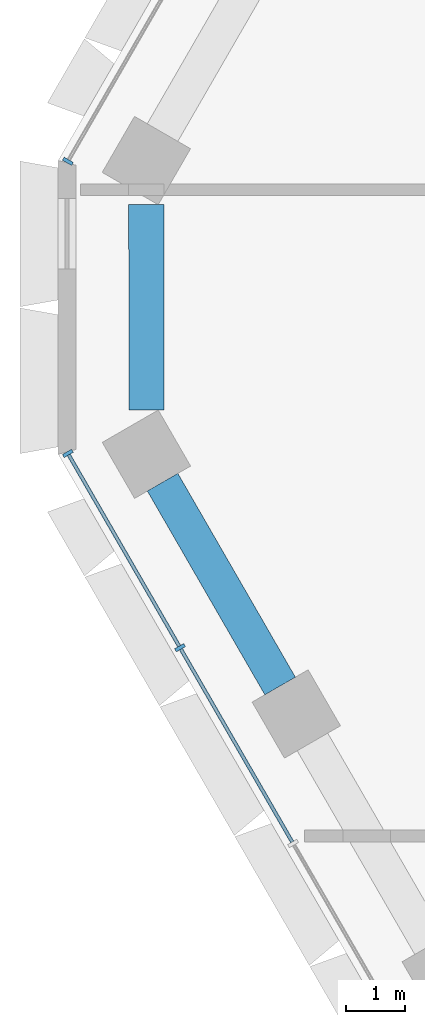
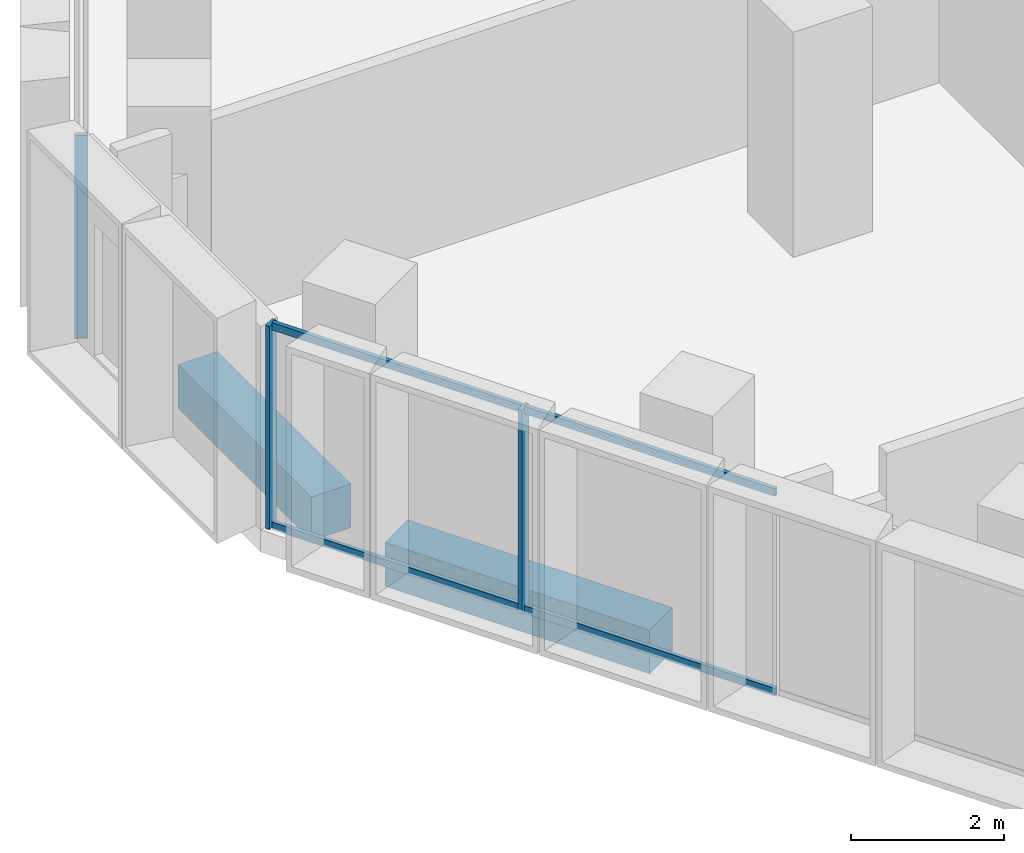
# One storey, part 3 of 22: 7 members, 2 beams, 2 elements without a shape of their own.
"""IFC4 building model written with IfcOpenShell, lengths in metres."""

from ifc_helpers import new_model, si_unit, direction, frame, origin, origin_2d, place, context, subcontext, project, spatial, rectangle, hollow_rectangle, extrude, material, material_profile, profile_set, type_object, element, aggregate, save


model = new_model("IFC4")

# Units and contexts
model_context = context("Model", 3, precision=1e-05, world=origin(), true_north=direction((0.0, 1.0)))
body_context = subcontext(model_context, "Body", "Model", "MODEL_VIEW")
ifc_project = project(units=[si_unit("LENGTHUNIT", "METRE"), si_unit("AREAUNIT", "SQUARE_METRE"), si_unit("VOLUMEUNIT", "CUBIC_METRE"), si_unit("PLANEANGLEUNIT", "RADIAN"), si_unit("MASSUNIT", "GRAM", prefix="KILO")], contexts=[model_context])

# Site, building, storey
site_placement = place(None, origin())
site = spatial("IfcSite", under=ifc_project, at=site_placement, CompositionType="ELEMENT")
building_placement = place(site_placement, origin())
building = spatial("IfcBuilding", under=site, at=building_placement, Name="Beryl Residences", CompositionType="ELEMENT")
storey_placement = place(building_placement, frame((0.0, 0.0, 12.60009765625)))
storey = spatial("IfcBuildingStorey", under=building, at=storey_placement, Name="L03", CompositionType="ELEMENT", Elevation=12.60009765625)

# Curtain wall, member
ifc_material_1 = material(Name="Aluminium and clear glass", Category="aluminium")
curtain_wall_type = type_object("IfcCurtainWallType", Name="CW2 amenity glazing glazed wall", PredefinedType="NOTDEFINED", material=ifc_material_1)
curtain_wall_1_placement = place(storey_placement, origin())
curtain_wall_1 = element("IfcCurtainWall", 1, at=curtain_wall_1_placement, inside=storey, type_object=curtain_wall_type, Name="CW2 L03 NW", PredefinedType="NOTDEFINED")
ifc_material_2 = material(Name="Aluminium", Category="aluminium")
ifc_material_profile_1 = material_profile(ifc_material_2, rectangle(XDim=0.06005859375, YDim=0.179931640625, at=origin_2d()))
ifc_profile_set_1 = profile_set([ifc_material_profile_1], Name="Aluminium")
member_type_1 = type_object("IfcMemberType", Name="CW2-M mullion 60 x 180 mm", PredefinedType="MULLION", material=ifc_profile_set_1)
member_1_placement = place(storey_placement, frame((-31.18505859375, 2.486083984375, 0.0), z_axis=(0.0, 0.0, 1.0), x_axis=(-0.500011643322, -0.866018681405, 0.0)))
member_1 = element("IfcMember", 2, at=member_1_placement, type_object=member_type_1, Name="CW2 mullion 8", PredefinedType="MULLION", context=body_context, shape_type="SweptSolid", body=[
    extrude(rectangle(XDim=0.06005859375, YDim=0.179931640625, at=origin_2d()), origin(), (0.0, 0.0, 1.0), 3.25),
])
aggregate(curtain_wall_1, [member_1])

# Curtain wall, members
curtain_wall_2_placement = place(storey_placement, origin())
curtain_wall_2 = element("IfcCurtainWall", 3, at=curtain_wall_2_placement, inside=storey, type_object=curtain_wall_type, Name="CW2 L03 SW", PredefinedType="NOTDEFINED")
member_2_placement = place(storey_placement, frame((-31.18505859375, -2.486083984375, 0.0), z_axis=(0.0, 0.0, 1.0), x_axis=(0.500011643322, -0.866018681405, 0.0)))
member_2 = element("IfcMember", 4, at=member_2_placement, type_object=member_type_1, Name="CW2 mullion 1", PredefinedType="MULLION", context=body_context, shape_type="SweptSolid", body=[
    extrude(rectangle(XDim=0.06005859375, YDim=0.179931640625, at=origin_2d()), origin(), (0.0, 0.0, 1.0), 3.25),
])
member_3_placement = place(storey_placement, frame((-29.275634765625, -5.79296875, 0.0), z_axis=(0.0, 0.0, 1.0), x_axis=(0.500011643322, -0.866018681405, 0.0)))
member_3 = element("IfcMember", 5, at=member_3_placement, type_object=member_type_1, Name="CW2 mullion 2", PredefinedType="MULLION", context=body_context, shape_type="SweptSolid", body=[
    extrude(rectangle(XDim=0.06005859375, YDim=0.179931640625, at=origin_2d()), origin(), (0.0, 0.0, 1.0), 3.25),
])
ifc_material_3 = material(Name="Aluminium", Category="aluminium")
ifc_material_profile_2 = material_profile(ifc_material_3, hollow_rectangle(XDim=0.06005859375, YDim=0.1201171875, WallThickness=0.00390625, at=origin_2d()))
ifc_profile_set_2 = profile_set([ifc_material_profile_2], Name="Aluminium")
member_type_2 = type_object("IfcMemberType", Name="CW2-T transom 60 x 120 mm", PredefinedType="USERDEFINED", material=ifc_profile_set_2)
member_4_placement = place(storey_placement, frame((-31.169921875, -2.511962890625, 0.02978515625), z_axis=(0.499988609959, -0.866031979728, 0.0), x_axis=(0.866031979728, 0.499988609959, 0.0)))
member_4 = element("IfcMember", 6, at=member_4_placement, type_object=member_type_2, Name="CW2 transom 1.1", ObjectType="TRANSOM", PredefinedType="USERDEFINED", context=body_context, shape_type="SweptSolid", body=[
    extrude(hollow_rectangle(XDim=0.06005859375, YDim=0.1201171875, WallThickness=0.00390625, at=origin_2d()), origin(), (0.0, 0.0, 1.0), 3.75830078125),
])
member_5_placement = place(storey_placement, frame((-31.169921875, -2.511962890625, 3.219970703125), z_axis=(0.499988609959, -0.866031979728, 0.0), x_axis=(0.866031979728, 0.499988609959, 0.0)))
member_5 = element("IfcMember", 7, at=member_5_placement, type_object=member_type_2, Name="CW2 transom 1.2", ObjectType="TRANSOM", PredefinedType="USERDEFINED", context=body_context, shape_type="SweptSolid", body=[
    extrude(hollow_rectangle(XDim=0.06005859375, YDim=0.1201171875, WallThickness=0.00390625, at=origin_2d()), origin(), (0.0, 0.0, 1.0), 3.75830078125),
])
member_6_placement = place(storey_placement, frame((-29.2607421875, -5.81884765625, 0.02978515625), z_axis=(0.499999503755, -0.866025690291, 0.0), x_axis=(0.866025690291, 0.499999503755, 0.0)))
member_6 = element("IfcMember", 8, at=member_6_placement, type_object=member_type_2, Name="CW2 transom 2.1", ObjectType="TRANSOM", PredefinedType="USERDEFINED", context=body_context, shape_type="SweptSolid", body=[
    extrude(hollow_rectangle(XDim=0.06005859375, YDim=0.1201171875, WallThickness=0.00390625, at=origin_2d()), origin(), (0.0, 0.0, 1.0), 3.78857421875),
])
member_7_placement = place(storey_placement, frame((-29.2607421875, -5.81884765625, 3.219970703125), z_axis=(0.499999503755, -0.866025690291, 0.0), x_axis=(0.866025690291, 0.499999503755, 0.0)))
member_7 = element("IfcMember", 9, at=member_7_placement, type_object=member_type_2, Name="CW2 transom 2.2", ObjectType="TRANSOM", PredefinedType="USERDEFINED", context=body_context, shape_type="SweptSolid", body=[
    extrude(hollow_rectangle(XDim=0.06005859375, YDim=0.1201171875, WallThickness=0.00390625, at=origin_2d()), origin(), (0.0, 0.0, 1.0), 3.78857421875),
])
aggregate(curtain_wall_2, [member_2, member_3, member_4, member_5, member_6, member_7])

# Beams
ifc_material_4 = material(Name="Concrete C80/95", Category="concrete")
ifc_material_profile_3 = material_profile(ifc_material_4, rectangle(XDim=0.60009765625, YDim=0.699951171875, at=origin_2d()))
ifc_profile_set_3 = profile_set([ifc_material_profile_3], Name="Concrete C80/95")
beam_type = type_object("IfcBeamType", Name="SB1 spandrel beam 600 x 700 C80/95", PredefinedType="SPANDREL", material=ifc_profile_set_3)
beam_1_placement = place(storey_placement, frame((-29.84912109375, 1.748046875, -0.7001953125), z_axis=(0.000349064486, -0.999999939077, 0.0), x_axis=(0.999999939077, 0.000349064486, 0.0)))
element("IfcBeam", 10, at=beam_1_placement, inside=storey, type_object=beam_type, Name="SB1 L03 NW-5", PredefinedType="SPANDREL", context=body_context, shape_type="SweptSolid", body=[
    extrude(rectangle(XDim=0.60009765625, YDim=0.699951171875, at=origin_2d()), origin(), (0.0, 0.0, 1.0), 3.4970703125),
])
beam_2_placement = place(storey_placement, frame((-29.572998046875, -2.97607421875, -0.7001953125), z_axis=(0.499653843024, -0.866225165388, 0.0), x_axis=(0.866225165388, 0.499653843024, 0.0)))
element("IfcBeam", 11, at=beam_2_placement, inside=storey, type_object=beam_type, Name="SB1 L03 SW-0", PredefinedType="SPANDREL", context=body_context, shape_type="SweptSolid", body=[
    extrude(rectangle(XDim=0.60009765625, YDim=0.699951171875, at=origin_2d()), origin(), (0.0, 0.0, 1.0), 4.004638671875),
])

save(model, "model.ifc")
